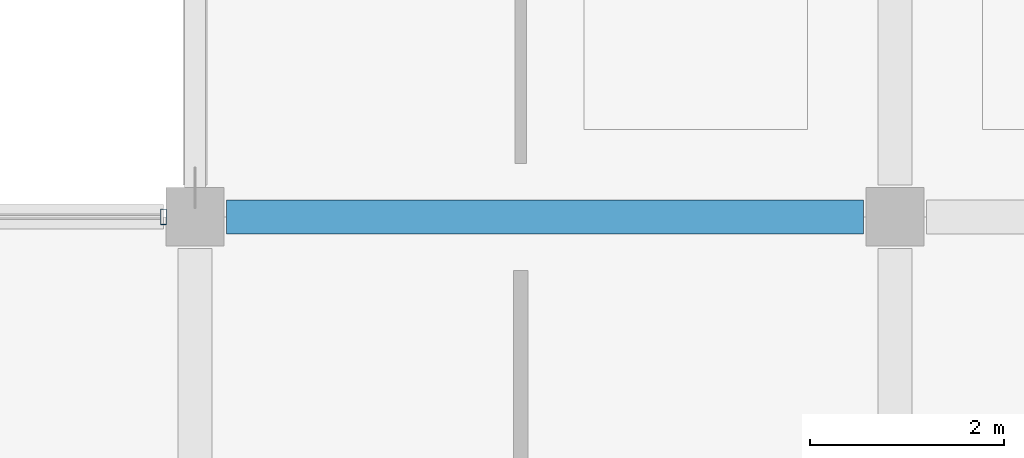
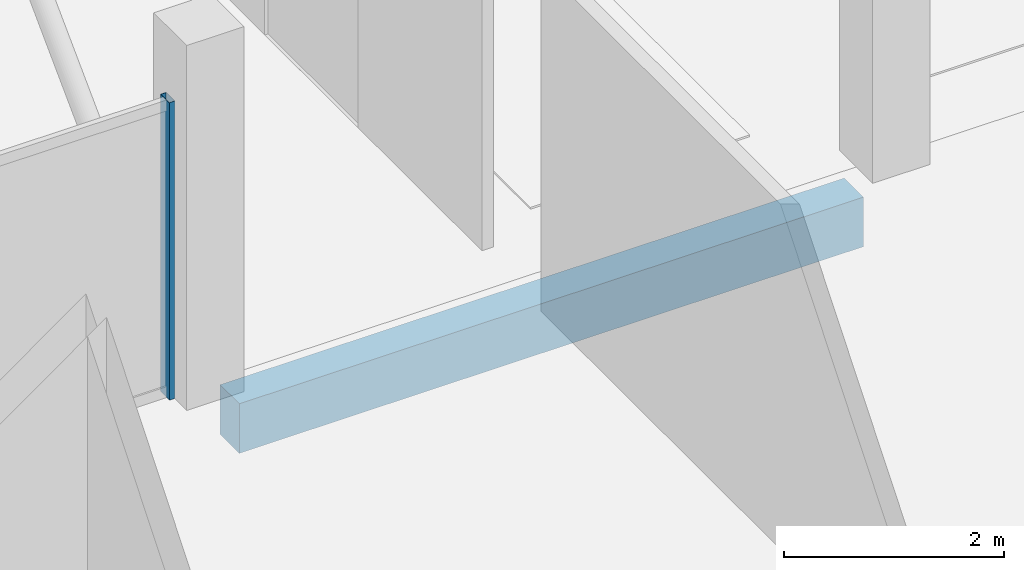
# One storey, part 16 of 59: 1 beam, 1 member, 1 element without a shape of its own.
"""IFC4 building model written with IfcOpenShell, lengths in metres."""

from ifc_helpers import new_model, si_unit, direction, frame, origin, origin_2d, place, context, subcontext, project, spatial, rectangle, hollow_rectangle, extrude, material, layer, layer_set, material_profile, profile_set, type_object, element, aggregate, save


model = new_model("IFC4")

# Units and contexts
model_context = context("Model", 3, precision=1e-05, world=origin(), true_north=direction((0.0, 1.0)))
body_context = subcontext(model_context, "Body", "Model", "MODEL_VIEW")
ifc_project = project(units=[si_unit("LENGTHUNIT", "METRE"), si_unit("AREAUNIT", "SQUARE_METRE"), si_unit("VOLUMEUNIT", "CUBIC_METRE"), si_unit("PLANEANGLEUNIT", "RADIAN"), si_unit("MASSUNIT", "GRAM", prefix="KILO")], contexts=[model_context])

# Site, building, storey
site_placement = place(None, origin())
site = spatial("IfcSite", under=ifc_project, at=site_placement, CompositionType="ELEMENT")
building_placement = place(site_placement, origin())
building = spatial("IfcBuilding", under=site, at=building_placement, Name="Kangsadwip Square Police Headquarters", CompositionType="ELEMENT")
storey_placement = place(building_placement, frame((0.0, 0.0, 21.60009765625)))
storey = spatial("IfcBuildingStorey", under=building, at=storey_placement, Name="L05", CompositionType="ELEMENT", Elevation=21.60009765625)

# Curtain wall, member
ifc_material_1 = material(Name="Thermally broken anodised aluminium AW-6063-T6", Category="aluminium")
ifc_layer = layer(ifc_material_1, 0.159912109375)
ifc_layer_set = layer_set([ifc_layer], Name="Thermally broken anodised aluminium AW-6063-T6")
curtain_wall_type = type_object("IfcCurtainWallType", Name="CourtScreen6635x3300", PredefinedType="USERDEFINED", material=ifc_layer_set)
curtain_wall_placement = place(storey_placement, origin())
curtain_wall = element("IfcCurtainWall", 1, at=curtain_wall_placement, inside=storey, type_object=curtain_wall_type, Name="Curtain Wall CW-L05-1371-0360", ObjectType="GLAZED_SCREEN", PredefinedType="USERDEFINED")
ifc_material_2 = material(Name="Thermally broken anodised aluminium AW-6063-T6", Category="aluminium")
ifc_material_profile_1 = material_profile(ifc_material_2, hollow_rectangle(XDim=0.06005859375, YDim=0.159912109375, WallThickness=0.00390625, at=origin_2d()), Name="CWM 160X60X4")
ifc_profile_set_1 = profile_set([ifc_material_profile_1], Name="Thermally broken anodised aluminium AW-6063-T6")
member_type = type_object("IfcMemberType", Name="CwMullion135x60", PredefinedType="MULLION", material=ifc_profile_set_1)
member_placement = place(storey_placement, frame((143.675048828125, 36.0, 0.0), z_axis=(0.0, 0.0, 1.0), x_axis=(1.0, 0.0, 0.0)))
member = element("IfcMember", 2, at=member_placement, type_object=member_type, Name="CW-50 mullion 2", PredefinedType="MULLION", context=body_context, shape_type="SweptSolid", body=[
    extrude(hollow_rectangle(XDim=0.06005859375, YDim=0.159912109375, WallThickness=0.00390625, at=origin_2d()), origin(), (0.0, 0.0, 1.0), 3.2998046875),
])
aggregate(curtain_wall, [member])

# Beam
ifc_material_3 = material(Name="Concrete M35 (35 MPa)", Category="concrete")
ifc_material_profile_2 = material_profile(ifc_material_3, rectangle(XDim=0.35009765625, YDim=0.550048828125, at=origin_2d()), Name="RC BM 550X350")
ifc_profile_set_2 = profile_set([ifc_material_profile_2], Name="Concrete M35 (35 MPa)")
beam_type = type_object("IfcBeamType", Name="RcBeam550x350", PredefinedType="BEAM", material=ifc_profile_set_2)
beam_placement = place(storey_placement, frame((144.324951171875, 36.0, -0.4951171875), z_axis=(1.0, 0.0, 0.0), x_axis=(0.0, 1.0, 0.0)))
element("IfcBeam", 3, at=beam_placement, inside=storey, type_object=beam_type, Name="Beam BM-L05-X-20-05", PredefinedType="BEAM", context=body_context, shape_type="SweptSolid", body=[
    extrude(rectangle(XDim=0.35009765625, YDim=0.550048828125, at=origin_2d()), origin(), (0.0, 0.0, 1.0), 6.550048828125),
])

save(model, "model.ifc")
